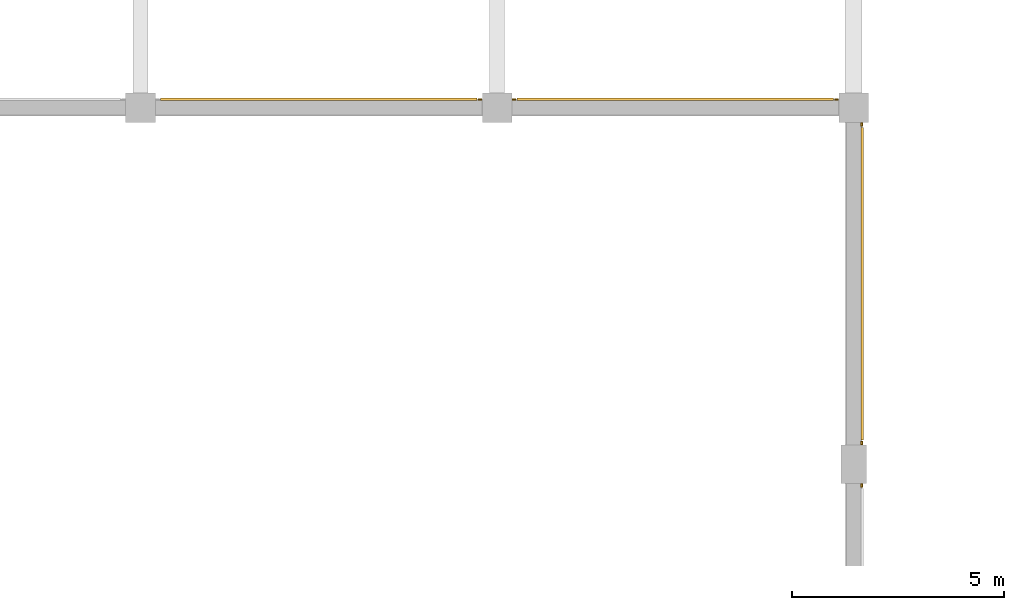
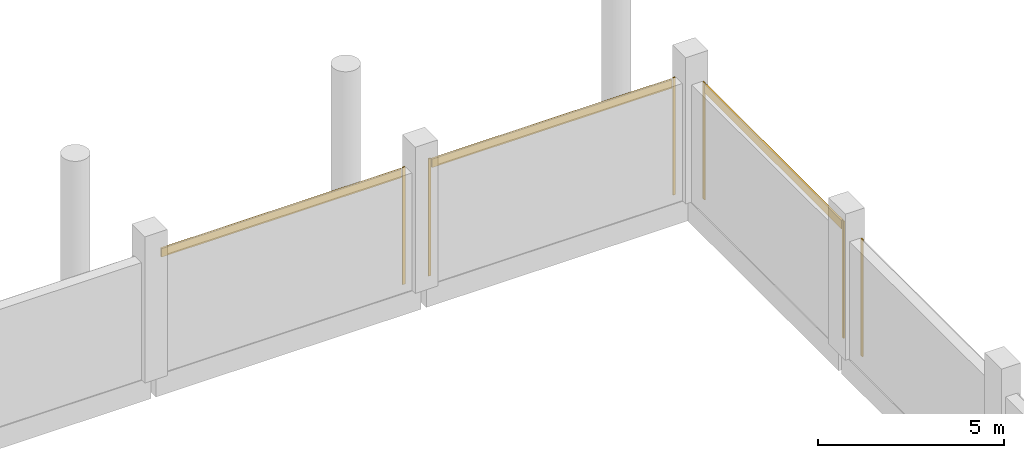
# One storey, part 127 of 128: 9 coverings.
"""IFC4 building model written with IfcOpenShell, lengths in metres."""

from ifc_helpers import new_model, si_unit, direction, frame, origin, origin_2d, place, context, subcontext, project, spatial, rectangle, extrude, material, layer, layer_set, type_object, element, save


model = new_model("IFC4")

# Units and contexts
model_context = context("Model", 3, precision=1e-05, world=origin(), true_north=direction((0.0, 1.0)))
body_context = subcontext(model_context, "Body", "Model", "MODEL_VIEW")
ifc_project = project(units=[si_unit("LENGTHUNIT", "METRE"), si_unit("AREAUNIT", "SQUARE_METRE"), si_unit("VOLUMEUNIT", "CUBIC_METRE"), si_unit("PLANEANGLEUNIT", "RADIAN"), si_unit("MASSUNIT", "GRAM", prefix="KILO")], contexts=[model_context])

# Site, building, storey
site_placement = place(None, origin())
site = spatial("IfcSite", under=ifc_project, at=site_placement, CompositionType="ELEMENT")
building_placement = place(site_placement, origin())
building = spatial("IfcBuilding", under=site, at=building_placement, Name="Telukmera Botanical Conservatory", CompositionType="ELEMENT")
storey_placement = place(building_placement, frame((0.0, 0.0, 5.39990234375)))
storey = spatial("IfcBuildingStorey", under=building, at=storey_placement, Name="L01", CompositionType="ELEMENT", Elevation=5.39990234375)

# Coverings
ifc_material_1 = material(Name="Granite-faced precast concrete C40/50", Category="masonry")
ifc_layer_1 = layer(ifc_material_1, 0.0400390625)
ifc_layer_set_1 = layer_set([ifc_layer_1], Name="Granite-faced precast concrete C40/50")
covering_type_1 = type_object("IfcCoveringType", Name="Granite Precast Column Pier Reveal Casing", PredefinedType="CLADDING", material=ifc_layer_set_1)
for number, where, z_axis, x_axis, name in (
    (1, (33.197998046875, 116.989990234375, 0.0), (0.0, 0.0, 1.0), (1.0, 0.0, 0.0), "Granite Pier Reveal V2:L01:N3 R"),
    (2, (34.001953125, 116.989990234375, 0.0), (0.0, 0.0, 1.0), (1.0, 0.0, 0.0), "Granite Pier Reveal V2:L01:N4 L"),
    (3, (41.597900390625, 116.989990234375, 0.0), (0.0, 0.0, 1.0), (1.0, 0.0, 0.0), "Granite Pier Reveal V2:L01:N4 R"),
    (4, (42.18994140625, 107.89794921875, 0.0), (0.0, 0.0, 1.0), (0.0, 1.0, 0.0), "Granite Pier Reveal V2:L01:E3 R"),
    (5, (42.18994140625, 108.902099609375, 0.0), (0.0, 0.0, 1.0), (0.0, 1.0, 0.0), "Granite Pier Reveal V2:L01:E4 L"),
    (6, (42.18994140625, 116.39794921875, 0.0), (0.0, 0.0, 1.0), (0.0, 1.0, 0.0), "Granite Pier Reveal V2:L01:E4 R"),
):
    element("IfcCovering", number, at=place(storey_placement, frame(where, z_axis=z_axis, x_axis=x_axis)), inside=storey, type_object=covering_type_1, Name=name, PredefinedType="CLADDING", context=body_context, shape_type="SweptSolid", body=[
        extrude(rectangle(XDim=0.080078125, YDim=0.0400390625, at=origin_2d()), origin(), (0.0, 0.0, 1.0), 3.85009765625),
    ])
ifc_material_2 = material(Name="Terracotta-faced precast concrete C40/50", Category="masonry")
ifc_layer_2 = layer(ifc_material_2, 0.06005859375)
ifc_layer_set_2 = layer_set([ifc_layer_2], Name="Terracotta-faced precast concrete C40/50")
covering_type_2 = type_object("IfcCoveringType", Name="Polychrome Terracotta Facade Band Cladding", PredefinedType="CLADDING", material=ifc_layer_set_2)
for number, where, z_axis, x_axis, name in (
    (7, (29.39990234375, 117.0, 3.5302734375), (0.0, 0.0, 1.0), (1.0, 0.0, 0.0), "Polychrome Terracotta Band V2:L01:N3"),
    (8, (37.800048828125, 117.0, 3.5302734375), (0.0, 0.0, 1.0), (1.0, 0.0, 0.0), "Polychrome Terracotta Band V2:L01:N4"),
):
    element("IfcCovering", number, at=place(storey_placement, frame(where, z_axis=z_axis, x_axis=x_axis)), inside=storey, type_object=covering_type_2, Name=name, PredefinedType="CLADDING", context=body_context, shape_type="SweptSolid", body=[
        extrude(rectangle(XDim=7.4560546875, YDim=0.06005859375, at=origin_2d()), origin(), (0.0, 0.0, 1.0), 0.280029296875),
    ])
covering_placement = place(storey_placement, frame((42.199951171875, 112.64990234375, 3.5302734375), z_axis=(0.0, 0.0, 1.0), x_axis=(0.0, 1.0, 0.0)))
element("IfcCovering", 9, at=covering_placement, inside=storey, type_object=covering_type_2, Name="Polychrome Terracotta Band V2:L01:E4", PredefinedType="CLADDING", context=body_context, shape_type="SweptSolid", body=[
    extrude(rectangle(XDim=7.35595703125, YDim=0.06005859375, at=origin_2d()), origin(), (0.0, 0.0, 1.0), 0.280029296875),
])

save(model, "model.ifc")
